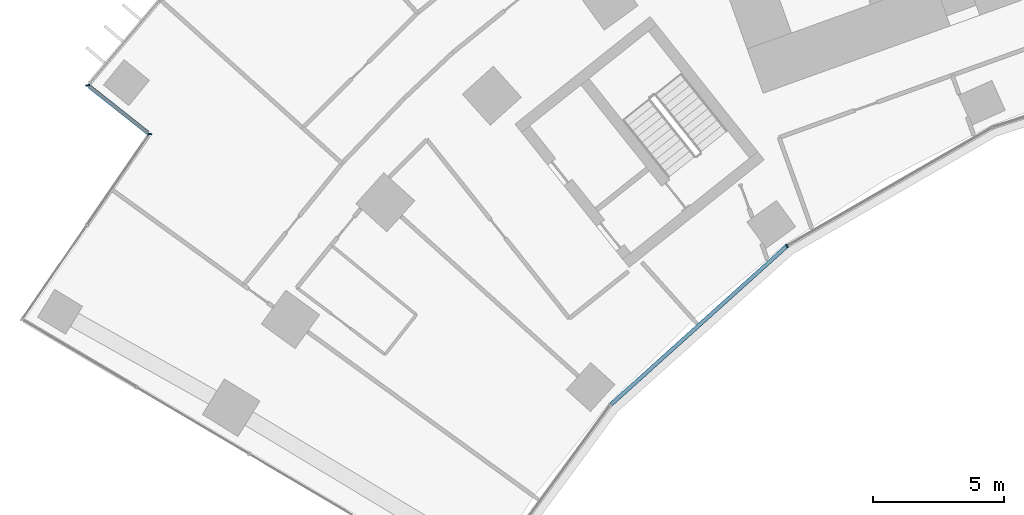
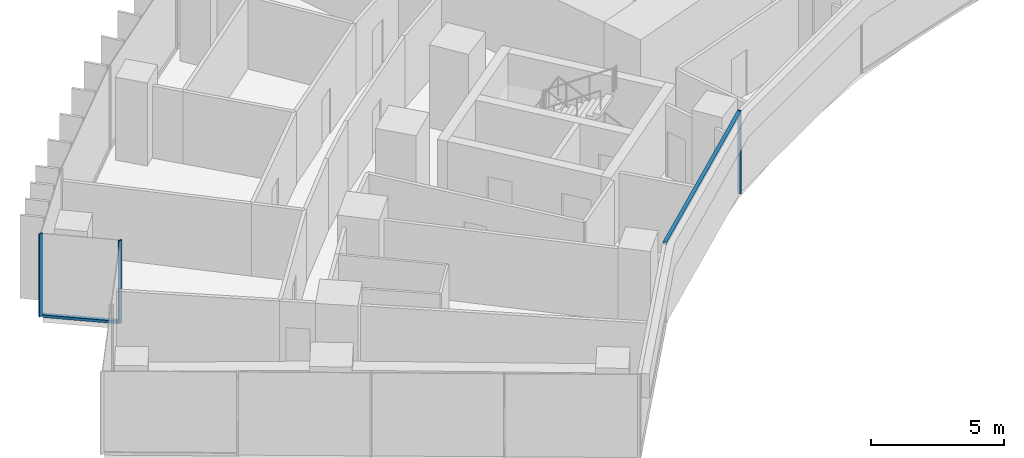
# One storey, part 3 of 24: 5 members, 3 elements without a shape of their own.
"""IFC4 building model written with IfcOpenShell, lengths in metres."""

from ifc_helpers import new_model, si_unit, direction, frame, origin, origin_2d, place, context, subcontext, project, spatial, rectangle, extrude, material, layer, layer_set, material_profile, profile_set, type_object, element, aggregate, save


model = new_model("IFC4")

# Units and contexts
model_context = context("Model", 3, precision=1e-05, world=origin(), true_north=direction((0.0, 1.0)))
body_context = subcontext(model_context, "Body", "Model", "MODEL_VIEW")
ifc_project = project(units=[si_unit("LENGTHUNIT", "METRE"), si_unit("AREAUNIT", "SQUARE_METRE"), si_unit("VOLUMEUNIT", "CUBIC_METRE"), si_unit("PLANEANGLEUNIT", "RADIAN"), si_unit("MASSUNIT", "GRAM", prefix="KILO")], contexts=[model_context])

# Site, building, storey
site_placement = place(None, origin())
site = spatial("IfcSite", under=ifc_project, at=site_placement, CompositionType="ELEMENT")
building_placement = place(site_placement, origin())
building = spatial("IfcBuilding", under=site, at=building_placement, Name="Stone Belt Terrace Tower", CompositionType="ELEMENT")
storey_placement = place(building_placement, frame((0.0, 0.0, 75.60009765625)))
storey = spatial("IfcBuildingStorey", under=building, at=storey_placement, Name="L18", CompositionType="ELEMENT", Elevation=75.60009765625)

# Curtain wall, members
ifc_material = material(Name="Aluminium 6063-T6 anodised frame", Category="aluminium")
ifc_layer_1 = layer(ifc_material, 0.14990234375)
ifc_layer_set_1 = layer_set([ifc_layer_1], Name="CW-B unitised concave-face curtain wall")
curtain_wall_type_1 = type_object("IfcCurtainWallType", Name="CW-B unitised concave-face curtain wall", PredefinedType="NOTDEFINED", material=ifc_layer_set_1)
curtain_wall_1_placement = place(storey_placement, origin())
curtain_wall_1 = element("IfcCurtainWall", 1, at=curtain_wall_1_placement, inside=storey, type_object=curtain_wall_type_1, Name="CW-B concave face L18", PredefinedType="NOTDEFINED")
ifc_material_profile_1 = material_profile(ifc_material, rectangle(XDim=0.14990234375, YDim=0.050048828125, at=origin_2d()), Name="Aluminium 6063-T6 50x150")
ifc_profile_set_1 = profile_set([ifc_material_profile_1], Name="Aluminium 6063-T6 anodised frame")
member_type_1 = type_object("IfcMemberType", Name="CW-B mullion 50 x 150", PredefinedType="MULLION", material=ifc_profile_set_1)
member_1_placement = place(storey_placement, frame((-25.5244140625, 35.13134765625, 0.0), z_axis=(0.0, 0.0, 1.0), x_axis=(-0.587785252292, 0.809016994375, 0.0)))
member_1 = element("IfcMember", 2, at=member_1_placement, type_object=member_type_1, Name="CW-B mullion 3", PredefinedType="MULLION", context=body_context, shape_type="SweptSolid", body=[
    extrude(rectangle(XDim=0.14990234375, YDim=0.050048828125, at=origin_2d()), origin(), (0.0, 0.0, 1.0), 3.7998046875),
])
ifc_material_profile_2 = material_profile(ifc_material, rectangle(XDim=0.14990234375, YDim=0.1201171875, at=origin_2d()), Name="Aluminium 6063-T6 150x120")
ifc_profile_set_2 = profile_set([ifc_material_profile_2], Name="Aluminium 6063-T6 anodised frame")
member_type_2 = type_object("IfcMemberType", Name="CW-B transom 120 x 150", PredefinedType="USERDEFINED", material=ifc_profile_set_2)
member_2_placement = place(storey_placement, frame((-32.246826171875, 29.078369140625, 3.739990234375), z_axis=(0.74315136283, 0.669123345822, 0.0), x_axis=(-0.669123345822, 0.74315136283, 0.0)))
member_2 = element("IfcMember", 3, at=member_2_placement, type_object=member_type_2, Name="CW-B transom 2.1", ObjectType="TRANSOM", PredefinedType="USERDEFINED", context=body_context, shape_type="SweptSolid", body=[
    extrude(rectangle(XDim=0.14990234375, YDim=0.1201171875, at=origin_2d()), origin(), (0.0, 0.0, 1.0), 9.01318359375),
])
aggregate(curtain_wall_1, [member_1, member_2])

# Curtain wall, member
ifc_layer_2 = layer(ifc_material, 0.14990234375)
ifc_layer_set_2 = layer_set([ifc_layer_2], Name="CW-C stick curtain wall, horn ends and notches")
curtain_wall_type_2 = type_object("IfcCurtainWallType", Name="CW-C stick curtain wall, horn ends and notches", PredefinedType="NOTDEFINED", material=ifc_layer_set_2)
curtain_wall_2_placement = place(storey_placement, origin())
curtain_wall_2 = element("IfcCurtainWall", 4, at=curtain_wall_2_placement, inside=storey, type_object=curtain_wall_type_2, Name="CW-C notch face L18", PredefinedType="NOTDEFINED")
ifc_material_profile_3 = material_profile(ifc_material, rectangle(XDim=0.14990234375, YDim=0.06005859375, at=origin_2d()), Name="Aluminium 6063-T6 60x150")
ifc_profile_set_3 = profile_set([ifc_material_profile_3], Name="Aluminium 6063-T6 anodised frame")
member_type_3 = type_object("IfcMemberType", Name="CW-C mullion 60 x 150", PredefinedType="MULLION", material=ifc_profile_set_3)
member_3_placement = place(storey_placement, frame((-52.24072265625, 41.27294921875, 0.0), z_axis=(0.0, 0.0, 1.0), x_axis=(0.995023084308, 0.099644677203, 0.0)))
member_3 = element("IfcMember", 5, at=member_3_placement, type_object=member_type_3, Name="CW-C mullion 1", PredefinedType="MULLION", context=body_context, shape_type="SweptSolid", body=[
    extrude(rectangle(XDim=0.14990234375, YDim=0.06005859375, at=origin_2d()), origin(), (0.0, 0.0, 1.0), 3.7998046875),
])

curtain_wall_3_placement = place(storey_placement, origin())
curtain_wall_3 = element("IfcCurtainWall", 6, at=curtain_wall_3_placement, inside=storey, type_object=curtain_wall_type_2, Name="CW-C notch face L18", PredefinedType="NOTDEFINED")
member_4_placement = place(storey_placement, frame((-49.88330078125, 39.406005859375, 0.0), z_axis=(0.0, 0.0, 1.0), x_axis=(0.988851375203, 0.14890586879, 0.0)))
member_4 = element("IfcMember", 7, at=member_4_placement, type_object=member_type_3, Name="CW-C mullion 1", PredefinedType="MULLION", context=body_context, shape_type="SweptSolid", body=[
    extrude(rectangle(XDim=0.14990234375, YDim=0.06005859375, at=origin_2d()), origin(), (0.0, 0.0, 1.0), 3.7998046875),
])
aggregate(curtain_wall_3, [member_4])

# Member
ifc_material_profile_4 = material_profile(ifc_material, rectangle(XDim=0.14990234375, YDim=0.1201171875, at=origin_2d()), Name="Aluminium 6063-T6 150x120")
ifc_profile_set_4 = profile_set([ifc_material_profile_4], Name="Aluminium 6063-T6 anodised frame")
member_type_4 = type_object("IfcMemberType", Name="CW-C transom 120 x 150", PredefinedType="USERDEFINED", material=ifc_profile_set_4)
member_5_placement = place(storey_placement, frame((-52.18212890625, 41.2265625, 0.059814453125), z_axis=(0.783966177893, -0.620803537297, 0.0), x_axis=(0.620803537297, 0.783966177893, 0.0)))
member_5 = element("IfcMember", 8, at=member_5_placement, type_object=member_type_4, Name="CW-C transom 1.1", ObjectType="TRANSOM", PredefinedType="USERDEFINED", context=body_context, shape_type="SweptSolid", body=[
    extrude(rectangle(XDim=0.14990234375, YDim=0.1201171875, at=origin_2d()), origin(), (0.0, 0.0, 1.0), 2.859375),
])

aggregate(curtain_wall_2, [member_3, member_5])

save(model, "model.ifc")
